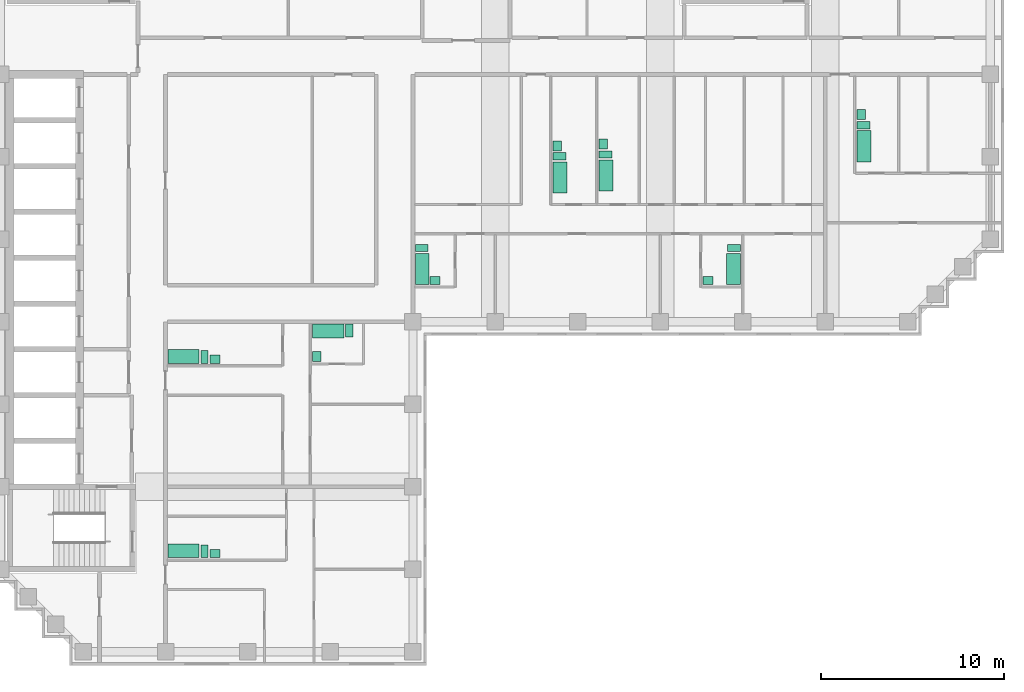
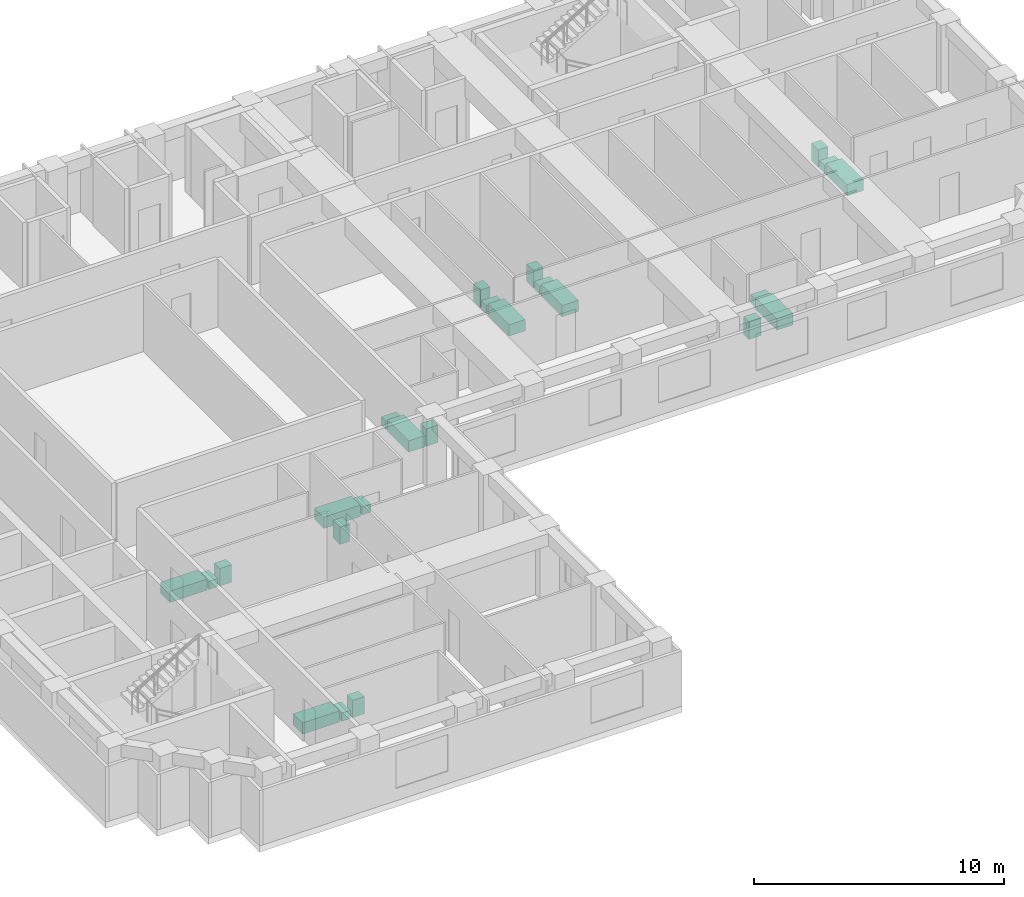
# One storey, part 9 of 9: 24 sanitary terminals.
"""IFC4 building model written with IfcOpenShell, lengths in metres."""

from ifc_helpers import new_model, si_unit, direction, frame, origin, origin_2d, place, context, subcontext, project, spatial, rectangle, extrude, material, type_object, element, save


model = new_model("IFC4")

# Units and contexts
model_context = context("Model", 3, precision=1e-05, world=origin(), true_north=direction((0.0, 1.0)))
body_context = subcontext(model_context, "Body", "Model", "MODEL_VIEW")
ifc_project = project(units=[si_unit("LENGTHUNIT", "METRE"), si_unit("AREAUNIT", "SQUARE_METRE"), si_unit("VOLUMEUNIT", "CUBIC_METRE"), si_unit("PLANEANGLEUNIT", "RADIAN"), si_unit("MASSUNIT", "GRAM", prefix="KILO")], contexts=[model_context])

# Site, building, storey
site_placement = place(None, origin())
site = spatial("IfcSite", under=ifc_project, at=site_placement, CompositionType="ELEMENT")
building_placement = place(site_placement, origin())
building = spatial("IfcBuilding", under=site, at=building_placement, Name="Firuza Court", CompositionType="ELEMENT")
storey_placement = place(building_placement, frame((0.0, 0.0, 222.199951171875)))
storey = spatial("IfcBuildingStorey", under=building, at=storey_placement, Name="L57", CompositionType="ELEMENT", Elevation=222.199951171875)

# Sanitary terminals
ifc_material_1 = material(Name="Vitreous china", Category="ceramic")
sanitary_terminal_type_1 = type_object("IfcSanitaryTerminalType", Name="Fixture Bath", PredefinedType="BATH", material=ifc_material_1)
for number, where, z_axis, x_axis, name in (
    (1, (30.5205078125, 43.8798828125, 0.0), (0.0, 0.0, 1.0), (1.0, 0.0, 0.0), "Bath"),
    (2, (33.03271484375, 43.97998046875, 0.0), (0.0, 0.0, 1.0), (1.0, 0.0, 0.0), "Bath"),
    (3, (23.0048828125, 38.8798828125, 0.0), (0.0, 0.0, 1.0), (1.0, 0.0, 0.0), "Bath"),
    (4, (39.9951171875, 38.8798828125, 0.0), (0.0, 0.0, 1.0), (1.0, 0.0, 0.0), "Bath"),
    (5, (47.10498046875, 45.580078125, 0.0), (0.0, 0.0, 1.0), (1.0, 0.0, 0.0), "Bath"),
):
    element("IfcSanitaryTerminal", number, at=place(storey_placement, frame(where, z_axis=z_axis, x_axis=x_axis)), inside=storey, type_object=sanitary_terminal_type_1, Name=name, PredefinedType="BATH", context=body_context, shape_type="SweptSolid", body=[
        extrude(rectangle(XDim=0.75, YDim=1.699951171875, at=origin_2d()), origin(), (0.0, 0.0, 1.0), 0.550048828125),
    ])
for number, where, z_axis, x_axis, name in (
    (6, (9.97998046875, 34.10498046875, 0.0), (0.0, 0.0, 1.0), (1.0, 0.0, 0.0), "Bath"),
    (7, (17.8798828125, 35.4951171875, 0.0), (0.0, 0.0, 1.0), (1.0, 0.0, 0.0), "Bath"),
    (8, (9.97998046875, 23.5048828125, 0.0), (0.0, 0.0, 1.0), (1.0, 0.0, 0.0), "Bath"),
):
    element("IfcSanitaryTerminal", number, at=place(storey_placement, frame(where, z_axis=z_axis, x_axis=x_axis)), inside=storey, type_object=sanitary_terminal_type_1, Name=name, PredefinedType="BATH", context=body_context, shape_type="SweptSolid", body=[
        extrude(rectangle(XDim=1.699951171875, YDim=0.75, at=origin_2d()), origin(), (0.0, 0.0, 1.0), 0.550048828125),
    ])
ifc_material_2 = material(Name="Vitreous china", Category="ceramic")
sanitary_terminal_type_2 = type_object("IfcSanitaryTerminalType", Name="Fixture WC pan", PredefinedType="TOILETPAN", material=ifc_material_2)
for number, where, z_axis, x_axis, name in (
    (9, (30.49560546875, 45.030029296875, 0.0), (0.0, 0.0, 1.0), (1.0, 0.0, 0.0), "WC pan"),
    (10, (33.007568359375, 45.1298828125, 0.0), (0.0, 0.0, 1.0), (1.0, 0.0, 0.0), "WC pan"),
    (11, (22.97998046875, 40.030029296875, 0.0), (0.0, 0.0, 1.0), (1.0, 0.0, 0.0), "WC pan"),
    (12, (40.02001953125, 40.030029296875, 0.0), (0.0, 0.0, 1.0), (1.0, 0.0, 0.0), "WC pan"),
    (13, (47.080078125, 46.72998046875, 0.0), (0.0, 0.0, 1.0), (1.0, 0.0, 0.0), "WC pan"),
):
    element("IfcSanitaryTerminal", number, at=place(storey_placement, frame(where, z_axis=z_axis, x_axis=x_axis)), inside=storey, type_object=sanitary_terminal_type_2, Name=name, PredefinedType="TOILETPAN", context=body_context, shape_type="SweptSolid", body=[
        extrude(rectangle(XDim=0.699951171875, YDim=0.39990234375, at=origin_2d()), origin(), (0.0, 0.0, 1.0), 0.39990234375),
    ])
for number, where, z_axis, x_axis, name in (
    (14, (11.1298828125, 34.080078125, 0.0), (0.0, 0.0, 1.0), (1.0, 0.0, 0.0), "WC pan"),
    (15, (19.030029296875, 35.52001953125, 0.0), (0.0, 0.0, 1.0), (1.0, 0.0, 0.0), "WC pan"),
    (16, (11.1298828125, 23.47998046875, 0.0), (0.0, 0.0, 1.0), (1.0, 0.0, 0.0), "WC pan"),
):
    element("IfcSanitaryTerminal", number, at=place(storey_placement, frame(where, z_axis=z_axis, x_axis=x_axis)), inside=storey, type_object=sanitary_terminal_type_2, Name=name, PredefinedType="TOILETPAN", context=body_context, shape_type="SweptSolid", body=[
        extrude(rectangle(XDim=0.39990234375, YDim=0.699951171875, at=origin_2d()), origin(), (0.0, 0.0, 1.0), 0.39990234375),
    ])
ifc_material_3 = material(Name="Vitreous china", Category="ceramic")
sanitary_terminal_type_3 = type_object("IfcSanitaryTerminalType", Name="Fixture Washbasin", PredefinedType="WASHHANDBASIN", material=ifc_material_3)
for number, where, z_axis, x_axis, name in (
    (17, (30.37060546875, 45.60498046875, 0.0), (0.0, 0.0, 1.0), (1.0, 0.0, 0.0), "Washbasin"),
    (18, (32.882568359375, 45.705078125, 0.0), (0.0, 0.0, 1.0), (1.0, 0.0, 0.0), "Washbasin"),
):
    element("IfcSanitaryTerminal", number, at=place(storey_placement, frame(where, z_axis=z_axis, x_axis=x_axis)), inside=storey, type_object=sanitary_terminal_type_3, Name=name, PredefinedType="WASHHANDBASIN", context=body_context, shape_type="SweptSolid", body=[
        extrude(rectangle(XDim=0.449951171875, YDim=0.550048828125, at=origin_2d()), origin(), (0.0, 0.0, 1.0), 0.85009765625),
    ])
for number, where, z_axis, x_axis, name in (
    (19, (23.705078125, 38.2548828125, 0.0), (0.0, 0.0, 1.0), (1.0, 0.0, 0.0), "Washbasin"),
    (20, (38.60498046875, 38.2548828125, 0.0), (0.0, 0.0, 1.0), (1.0, 0.0, 0.0), "Washbasin"),
):
    element("IfcSanitaryTerminal", number, at=place(storey_placement, frame(where, z_axis=z_axis, x_axis=x_axis)), inside=storey, type_object=sanitary_terminal_type_3, Name=name, PredefinedType="WASHHANDBASIN", context=body_context, shape_type="SweptSolid", body=[
        extrude(rectangle(XDim=0.550048828125, YDim=0.449951171875, at=origin_2d()), origin(), (0.0, 0.0, 1.0), 0.85009765625),
    ])
sanitary_terminal_1_placement = place(storey_placement, frame((46.955078125, 47.304931640625, 0.0), z_axis=(0.0, 0.0, 1.0), x_axis=(1.0, 0.0, 0.0)))
element("IfcSanitaryTerminal", 21, at=sanitary_terminal_1_placement, inside=storey, type_object=sanitary_terminal_type_3, Name="Washbasin", PredefinedType="WASHHANDBASIN", context=body_context, shape_type="SweptSolid", body=[
    extrude(rectangle(XDim=0.449951171875, YDim=0.550048828125, at=origin_2d()), origin(), (0.0, 0.0, 1.0), 0.85009765625),
])
sanitary_terminal_2_placement = place(storey_placement, frame((11.705078125, 33.955078125, 0.0), z_axis=(0.0, 0.0, 1.0), x_axis=(1.0, 0.0, 0.0)))
element("IfcSanitaryTerminal", 22, at=sanitary_terminal_2_placement, inside=storey, type_object=sanitary_terminal_type_3, Name="Washbasin", PredefinedType="WASHHANDBASIN", context=body_context, shape_type="SweptSolid", body=[
    extrude(rectangle(XDim=0.550048828125, YDim=0.449951171875, at=origin_2d()), origin(), (0.0, 0.0, 1.0), 0.85009765625),
])
sanitary_terminal_3_placement = place(storey_placement, frame((17.2548828125, 34.10498046875, 0.0), z_axis=(0.0, 0.0, 1.0), x_axis=(1.0, 0.0, 0.0)))
element("IfcSanitaryTerminal", 23, at=sanitary_terminal_3_placement, inside=storey, type_object=sanitary_terminal_type_3, Name="Washbasin", PredefinedType="WASHHANDBASIN", context=body_context, shape_type="SweptSolid", body=[
    extrude(rectangle(XDim=0.449951171875, YDim=0.550048828125, at=origin_2d()), origin(), (0.0, 0.0, 1.0), 0.85009765625),
])
sanitary_terminal_4_placement = place(storey_placement, frame((11.705078125, 23.35498046875, 0.0), z_axis=(0.0, 0.0, 1.0), x_axis=(1.0, 0.0, 0.0)))
element("IfcSanitaryTerminal", 24, at=sanitary_terminal_4_placement, inside=storey, type_object=sanitary_terminal_type_3, Name="Washbasin", PredefinedType="WASHHANDBASIN", context=body_context, shape_type="SweptSolid", body=[
    extrude(rectangle(XDim=0.550048828125, YDim=0.449951171875, at=origin_2d()), origin(), (0.0, 0.0, 1.0), 0.85009765625),
])

save(model, "model.ifc")
